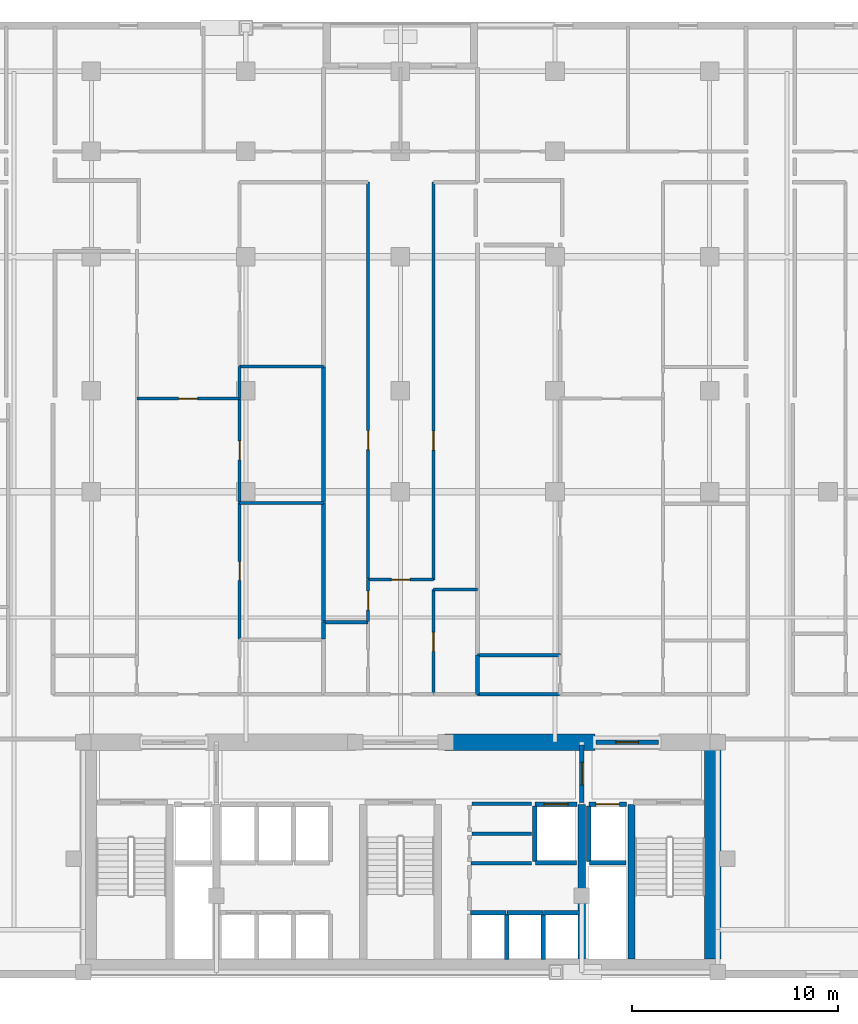
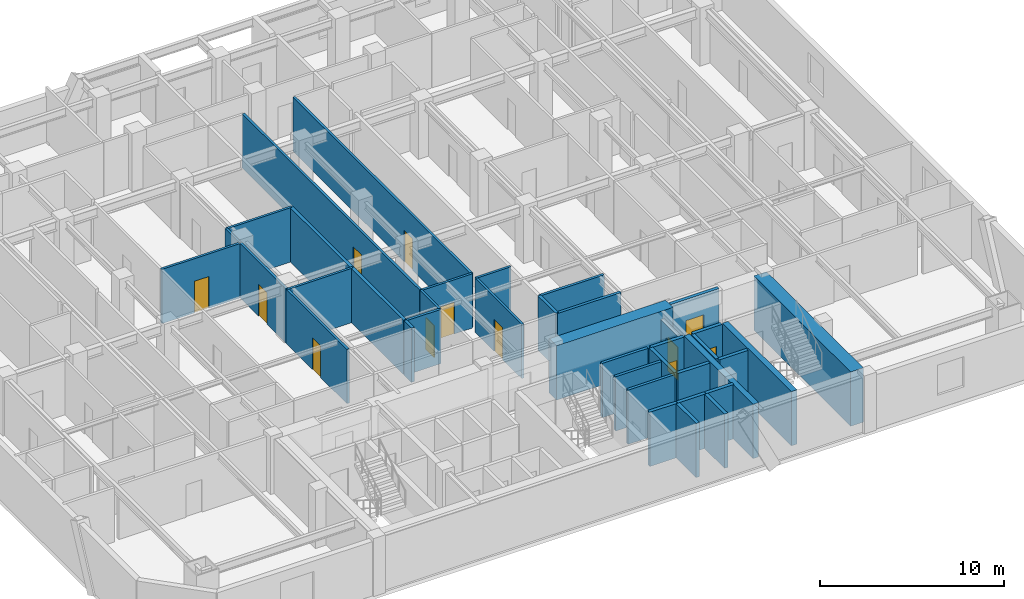
# One storey, part 5 of 10: 39 walls, 12 doors, 12 openings.
"""IFC4 building model written with IfcOpenShell, lengths in metres."""

from ifc_helpers import new_model, si_unit, direction, frame, frame_2d, origin, place, context, subcontext, project, spatial, rectangle, extrude, material, layer, layer_set, type_object, element, fill, save


model = new_model("IFC4")

# Units and contexts
model_context = context("Model", 3, precision=1e-05, world=origin(), true_north=direction((0.0, 1.0)))
body_context = subcontext(model_context, "Body", "Model", "MODEL_VIEW")
ifc_project = project(units=[si_unit("LENGTHUNIT", "METRE"), si_unit("AREAUNIT", "SQUARE_METRE"), si_unit("VOLUMEUNIT", "CUBIC_METRE"), si_unit("PLANEANGLEUNIT", "RADIAN"), si_unit("MASSUNIT", "GRAM", prefix="KILO")], contexts=[model_context])

# Site, building, storey
site_placement = place(None, origin())
site = spatial("IfcSite", under=ifc_project, at=site_placement, CompositionType="ELEMENT")
building_placement = place(site_placement, origin())
building = spatial("IfcBuilding", under=site, at=building_placement, Name="Ventersveld Concourse Tower", CompositionType="ELEMENT")
storey_placement = place(building_placement, frame((0.0, 0.0, 41.35009765625)))
storey = spatial("IfcBuildingStorey", under=building, at=storey_placement, Name="L09", CompositionType="ELEMENT", Elevation=41.35009765625)

# Walls
ifc_material_1 = material(Name="Concrete C60/75", Category="concrete")
ifc_layer_1 = layer(ifc_material_1, 0.35009765625)
ifc_layer_set_1 = layer_set([ifc_layer_1], Name="Concrete C60/75")
wall_type_1 = type_object("IfcWallType", Name="WL-CORE-350L", PredefinedType="SHEAR", material=ifc_layer_set_1)
for number, where, z_axis, x_axis, name in (
    (1, (37.550048828125, 0.919921875, 0.0), (0.0, 0.0, 1.0), (0.0, 1.0, 0.0), "L09 Core Internal Shear Web W-SVL-W"),
    (2, (39.9599609375, 0.919921875, 0.0), (0.0, 0.0, 1.0), (0.0, 1.0, 0.0), "L09 Core Internal Shear Web W-ST2-W"),
):
    element("IfcWall", number, at=place(storey_placement, frame(where, z_axis=z_axis, x_axis=x_axis)), inside=storey, type_object=wall_type_1, Name=name, PredefinedType="SHEAR", context=body_context, shape_type="SweptSolid", body=[
        extrude(rectangle(XDim=7.5, YDim=0.35009765625, at=frame_2d((3.75, 0.0))), origin(), (0.0, 0.0, 1.0), 3.599853515625),
    ])
ifc_layer_2 = layer(ifc_material_1, 0.800048828125)
ifc_layer_set_2 = layer_set([ifc_layer_2], Name="Concrete C60/75")
wall_type_2 = type_object("IfcWallType", Name="WL-CORE-800", PredefinedType="SHEAR", material=ifc_layer_set_2)
wall_1_placement = place(storey_placement, frame((43.89990234375, 0.919921875, 0.0), z_axis=(0.0, 0.0, 1.0), x_axis=(0.0, 1.0, 0.0)))
element("IfcWall", 3, at=wall_1_placement, inside=storey, type_object=wall_type_2, Name="L09 Rear Core East Shear Wall", PredefinedType="SHEAR", context=body_context, shape_type="SweptSolid", body=[
    extrude(rectangle(XDim=10.530029296875, YDim=0.800048828125, at=frame_2d((5.26513671875, 0.0))), origin(), (0.0, 0.0, 1.0), 3.599853515625),
])
wall_2_placement = place(storey_placement, frame((30.89990234375, 11.449951171875, 0.0), z_axis=(0.0, 0.0, 1.0), x_axis=(1.0, 0.0, 0.0)))
element("IfcWall", 4, at=wall_2_placement, inside=storey, type_object=wall_type_2, Name="L09 Rear Core North Shear Wall NMR", PredefinedType="SHEAR", context=body_context, shape_type="SweptSolid", body=[
    extrude(rectangle(XDim=7.300048828125, YDim=0.800048828125, at=frame_2d((3.64990234375, 0.0))), origin(), (0.0, 0.0, 1.0), 3.599853515625),
])
ifc_material_2 = material(Name="Fire-rated autoclaved aerated masonry blockwork", Category="masonry")
ifc_layer_3 = layer(ifc_material_2, 0.179931640625)
ifc_layer_set_3 = layer_set([ifc_layer_3], Name="Fire-rated autoclaved aerated masonry blockwork")
wall_type_3 = type_object("IfcWallType", Name="WL-CORR-180", PredefinedType="PARTITIONING", material=ifc_layer_set_3)
wall_3_placement = place(storey_placement, frame((32.219970703125, 7.0, 0.0), z_axis=(0.0, 0.0, 1.0), x_axis=(1.0, 0.0, 0.0)))
element("IfcWall", 5, at=wall_3_placement, inside=storey, type_object=wall_type_3, Name="L09 Core Top Wall SP-L09-CBAY1S", PredefinedType="PARTITIONING", context=body_context, shape_type="SweptSolid", body=[
    extrude(rectangle(XDim=2.880126953125, YDim=0.179931640625, at=frame_2d((1.43994140625, 0.0))), origin(), (0.0, 0.0, 1.0), 3.599853515625),
])
wall_4_placement = place(storey_placement, frame((32.179931640625, 5.570068359375, 0.0), z_axis=(0.0, 0.0, 1.0), x_axis=(1.0, 0.0, 0.0)))
element("IfcWall", 6, at=wall_4_placement, inside=storey, type_object=wall_type_3, Name="L09 Core Bot Wall SP-L09-CBAY1S", PredefinedType="PARTITIONING", context=body_context, shape_type="SweptSolid", body=[
    extrude(rectangle(XDim=2.920166015625, YDim=0.179931640625, at=frame_2d((1.4599609375, 0.0))), origin(), (0.0, 0.0, 1.0), 3.599853515625),
])
wall_5_placement = place(storey_placement, frame((32.219970703125, 8.4599609375, 0.0), z_axis=(0.0, 0.0, 1.0), x_axis=(1.0, 0.0, 0.0)))
element("IfcWall", 7, at=wall_5_placement, inside=storey, type_object=wall_type_3, Name="L09 Core Top Wall SP-L09-CBAY1N", PredefinedType="PARTITIONING", context=body_context, shape_type="SweptSolid", body=[
    extrude(rectangle(XDim=2.880126953125, YDim=0.179931640625, at=frame_2d((1.43994140625, 0.0))), origin(), (0.0, 0.0, 1.0), 3.599853515625),
])
wall_6_placement = place(storey_placement, frame((32.485107421875, 13.77001953125, 0.0), z_axis=(0.0, 0.0, 1.0), x_axis=(1.0, 0.0, 0.0)))
element("IfcWall", 8, at=wall_6_placement, inside=storey, type_object=wall_type_3, Name="L09 Interior Partition SP-L09-COR-SP-L09-09CE-BATH", PredefinedType="PARTITIONING", context=body_context, shape_type="SweptSolid", body=[
    extrude(rectangle(XDim=3.986083984375, YDim=0.179931640625, at=frame_2d((1.9931640625, 0.0))), origin(), (0.0, 0.0, 1.0), 3.599853515625),
])
ifc_layer_4 = layer(ifc_material_2, 0.199951171875)
ifc_layer_set_4 = layer_set([ifc_layer_4], Name="Fire-rated autoclaved aerated masonry blockwork")
wall_type_4 = type_object("IfcWallType", Name="WL-DEMISE-200", PredefinedType="PARTITIONING", material=ifc_layer_set_4)
wall_7_placement = place(storey_placement, frame((25.010009765625, 16.452880859375, 0.0), z_axis=(0.0, 0.0, 1.0), x_axis=(0.0, 1.0, 0.0)))
element("IfcWall", 9, at=wall_7_placement, inside=storey, type_object=wall_type_4, Name="L09 Interior Partition SP-L09-09CW-DENR-SP-L09-09CM-BATH", PredefinedType="PARTITIONING", context=body_context, shape_type="SweptSolid", body=[
    extrude(rectangle(XDim=0.824951171875, YDim=0.199951171875, at=frame_2d((0.41259765625, 0.0))), origin(), (0.0, 0.0, 1.0), 3.599853515625),
])
wall_8_placement = place(storey_placement, frame((25.010009765625, 17.307861328125, 0.0), z_axis=(0.0, 0.0, 1.0), x_axis=(0.0, 1.0, 0.0)))
element("IfcWall", 10, at=wall_8_placement, inside=storey, type_object=wall_type_4, Name="L09 Interior Partition SP-L09-09CW-DENR-SP-L09-09CM-DENL", PredefinedType="PARTITIONING", context=body_context, shape_type="SweptSolid", body=[
    extrude(rectangle(XDim=5.748046875, YDim=0.199951171875, at=frame_2d((2.8740234375, 0.0))), origin(), (0.0, 0.0, 1.0), 3.599853515625),
])
wall_9_placement = place(storey_placement, frame((25.010009765625, 23.085693359375, 0.0), z_axis=(0.0, 0.0, 1.0), x_axis=(0.0, 1.0, 0.0)))
element("IfcWall", 11, at=wall_9_placement, inside=storey, type_object=wall_type_4, Name="L09 Interior Partition SP-L09-09CW-DENS-SP-L09-09CM-DENL", PredefinedType="PARTITIONING", context=body_context, shape_type="SweptSolid", body=[
    extrude(rectangle(XDim=6.60302734375, YDim=0.199951171875, at=frame_2d((3.301513671875, 0.0))), origin(), (0.0, 0.0, 1.0), 3.599853515625),
])
wall_10_placement = place(storey_placement, frame((32.489990234375, 13.764892578125, 0.0), z_axis=(0.0, 0.0, 1.0), x_axis=(0.0, 1.0, 0.0)))
element("IfcWall", 12, at=wall_10_placement, inside=storey, type_object=wall_type_4, Name="L09 Interior Partition SP-L09-09CE-BATH-SP-L09-09CM-KIT", PredefinedType="PARTITIONING", context=body_context, shape_type="SweptSolid", body=[
    extrude(rectangle(XDim=1.91064453125, YDim=0.199951171875, at=frame_2d((0.955322265625, 0.0))), origin(), (0.0, 0.0, 1.0), 3.599853515625),
])
ifc_layer_5 = layer(ifc_material_2, 0.219970703125)
ifc_layer_set_5 = layer_set([ifc_layer_5], Name="Fire-rated autoclaved aerated masonry blockwork")
wall_type_5 = type_object("IfcWallType", Name="WL-HOIST-220", PredefinedType="SOLIDWALL", material=ifc_layer_set_5)
wall_11_placement = place(storey_placement, frame((37.919921875, 5.590087890625, 0.0), z_axis=(0.0, 0.0, 1.0), x_axis=(1.0, 0.0, 0.0)))
element("IfcWall", 13, at=wall_11_placement, inside=storey, type_object=wall_type_5, Name="L09 Lift Hoistway Back Wall FFL-02", PredefinedType="SOLIDWALL", context=body_context, shape_type="SweptSolid", body=[
    extrude(rectangle(XDim=1.780029296875, YDim=0.219970703125, at=frame_2d((0.89013671875, 0.0))), origin(), (0.0, 0.0, 1.0), 3.599853515625),
])
wall_12_placement = place(storey_placement, frame((37.8798828125, 5.64990234375, 0.0), z_axis=(0.0, 0.0, 1.0), x_axis=(0.0, 1.0, 0.0)))
element("IfcWall", 14, at=wall_12_placement, inside=storey, type_object=wall_type_5, Name="L09 Lift Hoistway Side Wall FFL-02W", PredefinedType="SOLIDWALL", context=body_context, shape_type="SweptSolid", body=[
    extrude(rectangle(XDim=2.7001953125, YDim=0.219970703125, at=frame_2d((1.35009765625, 0.0))), origin(), (0.0, 0.0, 1.0), 3.599853515625),
])

# Wall, opening, door
wall_13_placement = place(storey_placement, frame((37.89990234375, 8.429931640625, 0.0), z_axis=(0.0, 0.0, 1.0), x_axis=(1.0, 0.0, 0.0)))
wall_13 = element("IfcWall", 15, at=wall_13_placement, inside=storey, type_object=wall_type_5, Name="L09 Lift Hoistway Front Wall FFL-02", PredefinedType="SOLIDWALL", context=body_context, shape_type="SweptSolid", body=[
    extrude(rectangle(XDim=1.820068359375, YDim=0.219970703125, at=frame_2d((0.91015625, 0.0))), origin(), (0.0, 0.0, 1.0), 3.599853515625),
])
opening_1_placement = place(wall_13_placement, frame((0.35009765625, 0.0, 0.0)))
opening_1 = element("IfcOpeningElement", 16, at=opening_1_placement, cuts=wall_13, Name="Opening LD1", PredefinedType="OPENING", context=body_context, shape_type="SweptSolid", body=[
    extrude(rectangle(XDim=1.1201171875, YDim=2.25, at=frame_2d((0.56005859375, 1.125))), frame((0.0, 0.1201171875, 0.0), z_axis=(0.0, -1.0, 0.0), x_axis=(1.0, 0.0, 0.0)), (0.0, 0.0, 1.0), 0.239990234375),
])
ifc_material_3 = material(Name="Brushed stainless steel 316", Category="steel")
door_type_1 = type_object("IfcDoorType", Name="LD-FF-112", OperationType="SLIDING_TO_LEFT", PredefinedType="DOOR", material=ifc_material_3)
door_1_placement = place(opening_1_placement, origin())
door_1 = element("IfcDoor", 17, at=door_1_placement, inside=storey, type_object=door_type_1, Name="L09 Lift landing door FFL-02 (LD-L09-FFL-02)", OperationType="SLIDING_TO_RIGHT", OverallHeight=2.25, OverallWidth=1.1201171875, PredefinedType="DOOR", context=body_context, shape_type="SweptSolid", body=[
    extrude(rectangle(XDim=1.1201171875, YDim=2.25, at=frame_2d((0.56005859375, 1.125))), frame((0.0, 0.02490234375, 0.0), z_axis=(0.0, -1.0, 0.0), x_axis=(1.0, 0.0, 0.0)), (0.0, 0.0, 1.0), 0.050048828125),
])
fill(opening_1, door_1)

# Walls
wall_14_placement = place(storey_placement, frame((35.300048828125, 5.590087890625, 0.0), z_axis=(0.0, 0.0, 1.0), x_axis=(1.0, 0.0, 0.0)))
element("IfcWall", 18, at=wall_14_placement, inside=storey, type_object=wall_type_5, Name="L09 Lift Hoistway Back Wall SVL-01", PredefinedType="SOLIDWALL", context=body_context, shape_type="SweptSolid", body=[
    extrude(rectangle(XDim=2.0, YDim=0.219970703125, at=frame_2d((1.0, 0.0))), origin(), (0.0, 0.0, 1.0), 3.599853515625),
])
wall_15_placement = place(storey_placement, frame((35.260009765625, 5.64990234375, 0.0), z_axis=(0.0, 0.0, 1.0), x_axis=(0.0, 1.0, 0.0)))
element("IfcWall", 19, at=wall_15_placement, inside=storey, type_object=wall_type_5, Name="L09 Lift Hoistway Side Wall SVL-01W", PredefinedType="SOLIDWALL", context=body_context, shape_type="SweptSolid", body=[
    extrude(rectangle(XDim=2.7001953125, YDim=0.219970703125, at=frame_2d((1.35009765625, 0.0))), origin(), (0.0, 0.0, 1.0), 3.599853515625),
])

# Wall, opening, door
wall_16_placement = place(storey_placement, frame((35.280029296875, 8.429931640625, 0.0), z_axis=(0.0, 0.0, 1.0), x_axis=(1.0, 0.0, 0.0)))
wall_16 = element("IfcWall", 20, at=wall_16_placement, inside=storey, type_object=wall_type_5, Name="L09 Lift Hoistway Front Wall SVL-01", PredefinedType="SOLIDWALL", context=body_context, shape_type="SweptSolid", body=[
    extrude(rectangle(XDim=2.0400390625, YDim=0.219970703125, at=frame_2d((1.02001953125, 0.0))), origin(), (0.0, 0.0, 1.0), 3.599853515625),
])
opening_2_placement = place(wall_16_placement, frame((0.429931640625, 0.0, 0.0)))
opening_2 = element("IfcOpeningElement", 21, at=opening_2_placement, cuts=wall_16, Name="Opening LD2", PredefinedType="OPENING", context=body_context, shape_type="SweptSolid", body=[
    extrude(rectangle(XDim=1.179931640625, YDim=2.199951171875, at=frame_2d((0.58984375, 1.10009765625))), frame((0.0, 0.1201171875, 0.0), z_axis=(0.0, -1.0, 0.0), x_axis=(1.0, 0.0, 0.0)), (0.0, 0.0, 1.0), 0.239990234375),
])
door_type_2 = type_object("IfcDoorType", Name="LD-PAX-118", OperationType="SLIDING_TO_LEFT", PredefinedType="DOOR", material=ifc_material_3)
door_2_placement = place(opening_2_placement, origin())
door_2 = element("IfcDoor", 22, at=door_2_placement, inside=storey, type_object=door_type_2, Name="L09 Lift landing door SVL-01 (LD-L09-SVL-01)", OperationType="SLIDING_TO_LEFT", OverallHeight=2.199951171875, OverallWidth=1.179931640625, PredefinedType="DOOR", context=body_context, shape_type="SweptSolid", body=[
    extrude(rectangle(XDim=1.179931640625, YDim=2.199951171875, at=frame_2d((0.58984375, 1.10009765625))), frame((0.0, 0.02490234375, 0.0), z_axis=(0.0, -1.0, 0.0), x_axis=(1.0, 0.0, 0.0)), (0.0, 0.0, 1.0), 0.050048828125),
])
fill(opening_2, door_2)

# Walls
wall_17_placement = place(storey_placement, frame((33.89990234375, 0.89990234375, 0.0), z_axis=(0.0, 0.0, 1.0), x_axis=(0.0, 1.0, 0.0)))
element("IfcWall", 23, at=wall_17_placement, inside=storey, type_object=wall_type_5, Name="L09 Lift Hoistway Side Wall PM-01E", PredefinedType="SOLIDWALL", context=body_context, shape_type="SweptSolid", body=[
    extrude(rectangle(XDim=2.2001953125, YDim=0.219970703125, at=frame_2d((1.10009765625, 0.0))), origin(), (0.0, 0.0, 1.0), 3.599853515625),
])
wall_18_placement = place(storey_placement, frame((32.139892578125, 3.179931640625, 0.0), z_axis=(0.0, 0.0, 1.0), x_axis=(1.0, 0.0, 0.0)))
element("IfcWall", 24, at=wall_18_placement, inside=storey, type_object=wall_type_5, Name="L09 Lift Hoistway Front Wall PM-01", PredefinedType="SOLIDWALL", context=body_context, shape_type="SweptSolid", body=[
    extrude(rectangle(XDim=1.739990234375, YDim=0.219970703125, at=frame_2d((0.8701171875, 0.0))), origin(), (0.0, 0.0, 1.0), 3.599853515625),
])
wall_19_placement = place(storey_placement, frame((35.679931640625, 0.89990234375, 0.0), z_axis=(0.0, 0.0, 1.0), x_axis=(0.0, 1.0, 0.0)))
element("IfcWall", 25, at=wall_19_placement, inside=storey, type_object=wall_type_5, Name="L09 Lift Hoistway Side Wall PM-02E", PredefinedType="SOLIDWALL", context=body_context, shape_type="SweptSolid", body=[
    extrude(rectangle(XDim=2.2001953125, YDim=0.219970703125, at=frame_2d((1.10009765625, 0.0))), origin(), (0.0, 0.0, 1.0), 3.599853515625),
])
for number, where, z_axis, x_axis, name in (
    (26, (33.919921875, 3.179931640625, 0.0), (0.0, 0.0, 1.0), (1.0, 0.0, 0.0), "L09 Lift Hoistway Front Wall PM-02"),
    (27, (35.699951171875, 3.179931640625, 0.0), (0.0, 0.0, 1.0), (1.0, 0.0, 0.0), "L09 Lift Hoistway Front Wall PM-03"),
):
    element("IfcWall", number, at=place(storey_placement, frame(where, z_axis=z_axis, x_axis=x_axis)), inside=storey, type_object=wall_type_5, Name=name, PredefinedType="SOLIDWALL", context=body_context, shape_type="SweptSolid", body=[
        extrude(rectangle(XDim=1.739990234375, YDim=0.219970703125, at=frame_2d((0.8701171875, 0.0))), origin(), (0.0, 0.0, 1.0), 3.599853515625),
    ])

# Wall, opening, door
wall_20_placement = place(storey_placement, frame((37.550048828125, 8.52001953125, 0.0), z_axis=(0.0, 0.0, 1.0), x_axis=(0.0, 1.0, 0.0)))
wall_20 = element("IfcWall", 28, at=wall_20_placement, inside=storey, type_object=wall_type_5, Name="L09 Firefighting Lobby Smoke-Stop Wall FFLE-SEP", PredefinedType="SOLIDWALL", context=body_context, shape_type="SweptSolid", body=[
    extrude(rectangle(XDim=2.800048828125, YDim=0.219970703125, at=frame_2d((1.39990234375, 0.0))), origin(), (0.0, 0.0, 1.0), 3.055419921875),
])
opening_3_placement = place(wall_20_placement, frame((0.85009765625, 0.0, 0.0)))
opening_3 = element("IfcOpeningElement", 29, at=opening_3_placement, cuts=wall_20, Name="Opening FD2", PredefinedType="OPENING", context=body_context, shape_type="SweptSolid", body=[
    extrude(rectangle(XDim=1.10009765625, YDim=2.199951171875, at=frame_2d((0.550048828125, 1.10009765625))), frame((0.0, 0.1201171875, 0.0), z_axis=(0.0, -1.0, 0.0), x_axis=(1.0, 0.0, 0.0)), (0.0, 0.0, 1.0), 0.239990234375),
])
ifc_material_4 = material(Name="Galvanised painted steel", Category="steel")
door_type_3 = type_object("IfcDoorType", Name="DR-FFL-110", OperationType="NOTDEFINED", PredefinedType="DOOR", material=ifc_material_4)
door_3_placement = place(opening_3_placement, origin())
door_3 = element("IfcDoor", 30, at=door_3_placement, inside=storey, type_object=door_type_3, Name="L09 Firefighting Lobby Door FFLE-SEP (FD-L09-0299)", OperationType="SINGLE_SWING_RIGHT", OverallHeight=2.199951171875, OverallWidth=1.10009765625, PredefinedType="DOOR", context=body_context, shape_type="SweptSolid", body=[
    extrude(rectangle(XDim=1.10009765625, YDim=2.199951171875, at=frame_2d((0.550048828125, 1.10009765625))), frame((0.0, 0.02490234375, 0.0), z_axis=(0.0, -1.0, 0.0), x_axis=(1.0, 0.0, 0.0)), (0.0, 0.0, 1.0), 0.050048828125),
])
fill(opening_3, door_3)

wall_21_placement = place(storey_placement, frame((38.22998046875, 11.449951171875, 0.0), z_axis=(0.0, 0.0, 1.0), x_axis=(1.0, 0.0, 0.0)))
wall_21 = element("IfcWall", 31, at=wall_21_placement, inside=storey, type_object=wall_type_5, Name="L09 Core North Fire Portal FFLE-OUT", PredefinedType="SOLIDWALL", context=body_context, shape_type="SweptSolid", body=[
    extrude(rectangle(XDim=3.0400390625, YDim=0.219970703125, at=frame_2d((1.52001953125, 0.0))), origin(), (0.0, 0.0, 1.0), 3.599853515625),
])
opening_4_placement = place(wall_21_placement, frame((0.969970703125, 0.0, 0.0)))
opening_4 = element("IfcOpeningElement", 32, at=opening_4_placement, cuts=wall_21, Name="Opening FD2", PredefinedType="OPENING", context=body_context, shape_type="SweptSolid", body=[
    extrude(rectangle(XDim=1.10009765625, YDim=2.199951171875, at=frame_2d((0.550048828125, 1.10009765625))), frame((0.0, 0.1201171875, 0.0), z_axis=(0.0, -1.0, 0.0), x_axis=(1.0, 0.0, 0.0)), (0.0, 0.0, 1.0), 0.239990234375),
])
door_4_placement = place(opening_4_placement, origin())
door_4 = element("IfcDoor", 33, at=door_4_placement, inside=storey, type_object=door_type_3, Name="L09 Core Lobby Fire Door FFLE-OUT (FD-L09-0302)", OperationType="SINGLE_SWING_LEFT", OverallHeight=2.199951171875, OverallWidth=1.10009765625, PredefinedType="DOOR", context=body_context, shape_type="SweptSolid", body=[
    extrude(rectangle(XDim=1.10009765625, YDim=2.199951171875, at=frame_2d((0.550048828125, 1.10009765625))), frame((0.0, 0.02490234375, 0.0), z_axis=(0.0, -1.0, 0.0), x_axis=(1.0, 0.0, 0.0)), (0.0, 0.0, 1.0), 0.050048828125),
])
fill(opening_4, door_4)

ifc_material_5 = material(Name="Autoclaved aerated masonry blockwork", Category="masonry")
ifc_layer_6 = layer(ifc_material_5, 0.14990234375)
ifc_layer_set_6 = layer_set([ifc_layer_6], Name="Autoclaved aerated masonry blockwork")
wall_type_6 = type_object("IfcWallType", Name="WL-INT-150", PredefinedType="PARTITIONING", material=ifc_layer_set_6)
wall_22_placement = place(storey_placement, frame((15.955078125, 28.11669921875, 0.0), z_axis=(0.0, 0.0, 1.0), x_axis=(1.0, 0.0, 0.0)))
wall_22 = element("IfcWall", 34, at=wall_22_placement, inside=storey, type_object=wall_type_6, Name="L09 Interior Partition SP-L09-09CW-FOY-SP-L09-09CW-LIV", PredefinedType="PARTITIONING", context=body_context, shape_type="SweptSolid", body=[
    extrude(rectangle(XDim=4.989990234375, YDim=0.14990234375, at=frame_2d((2.4951171875, 0.0))), origin(), (0.0, 0.0, 1.0), 3.599853515625),
])
opening_5_placement = place(wall_22_placement, frame((2.034912109375, 0.0, 0.0)))
opening_5 = element("IfcOpeningElement", 35, at=opening_5_placement, cuts=wall_22, Name="Opening ID1", PredefinedType="OPENING", context=body_context, shape_type="SweptSolid", body=[
    extrude(rectangle(XDim=0.919921875, YDim=2.10009765625, at=frame_2d((0.4599609375, 1.050048828125))), frame((0.0, 0.0849609375, 0.0), z_axis=(0.0, -1.0, 0.0), x_axis=(1.0, 0.0, 0.0)), (0.0, 0.0, 1.0), 0.169921875),
])
ifc_material_6 = material(Name="Solid-core hardwood veneer timber", Category="wood")
door_type_4 = type_object("IfcDoorType", Name="DR-ROOM-092", OperationType="NOTDEFINED", PredefinedType="DOOR", material=ifc_material_6)
door_5_placement = place(opening_5_placement, origin())
door_5 = element("IfcDoor", 36, at=door_5_placement, inside=storey, type_object=door_type_4, Name="L09 Interior Door SP-L09-09CW-FOY to SP-L09-09CW-LIV (D-L09-0332)", OperationType="SINGLE_SWING_RIGHT", OverallHeight=2.10009765625, OverallWidth=0.919921875, PredefinedType="DOOR", context=body_context, shape_type="SweptSolid", body=[
    extrude(rectangle(XDim=0.919921875, YDim=2.10009765625, at=frame_2d((0.4599609375, 1.050048828125))), frame((0.0, 0.02490234375, 0.0), z_axis=(0.0, -1.0, 0.0), x_axis=(1.0, 0.0, 0.0)), (0.0, 0.0, 1.0), 0.050048828125),
])
fill(opening_5, door_5)

wall_23_placement = place(storey_placement, frame((20.93994140625, 16.452880859375, 0.0), z_axis=(0.0, 0.0, 1.0), x_axis=(0.0, 1.0, 0.0)))
wall_23 = element("IfcWall", 37, at=wall_23_placement, inside=storey, type_object=wall_type_6, Name="L09 Interior Partition SP-L09-09CW-FOY-SP-L09-09CW-DENR", PredefinedType="PARTITIONING", context=body_context, shape_type="SweptSolid", body=[
    extrude(rectangle(XDim=6.60302734375, YDim=0.14990234375, at=frame_2d((3.301513671875, 0.0))), origin(), (0.0, 0.0, 1.0), 3.599853515625),
])
opening_6_placement = place(wall_23_placement, frame((2.841552734375, 0.0, 0.0)))
opening_6 = element("IfcOpeningElement", 38, at=opening_6_placement, cuts=wall_23, Name="Opening ID1", PredefinedType="OPENING", context=body_context, shape_type="SweptSolid", body=[
    extrude(rectangle(XDim=0.919921875, YDim=2.10009765625, at=frame_2d((0.4599609375, 1.050048828125))), frame((0.0, 0.0849609375, 0.0), z_axis=(0.0, -1.0, 0.0), x_axis=(1.0, 0.0, 0.0)), (0.0, 0.0, 1.0), 0.169921875),
])
door_6_placement = place(opening_6_placement, origin())
door_6 = element("IfcDoor", 39, at=door_6_placement, inside=storey, type_object=door_type_4, Name="L09 Interior Door SP-L09-09CW-FOY to SP-L09-09CW-DENR (D-L09-0336)", OperationType="SINGLE_SWING_RIGHT", OverallHeight=2.10009765625, OverallWidth=0.919921875, PredefinedType="DOOR", context=body_context, shape_type="SweptSolid", body=[
    extrude(rectangle(XDim=0.919921875, YDim=2.10009765625, at=frame_2d((0.4599609375, 1.050048828125))), frame((0.0, 0.02490234375, 0.0), z_axis=(0.0, -1.0, 0.0), x_axis=(1.0, 0.0, 0.0)), (0.0, 0.0, 1.0), 0.050048828125),
])
fill(opening_6, door_6)

wall_24_placement = place(storey_placement, frame((20.93994140625, 23.085693359375, 0.0), z_axis=(0.0, 0.0, 1.0), x_axis=(0.0, 1.0, 0.0)))
wall_24 = element("IfcWall", 40, at=wall_24_placement, inside=storey, type_object=wall_type_6, Name="L09 Interior Partition SP-L09-09CW-FOY-SP-L09-09CW-DENS", PredefinedType="PARTITIONING", context=body_context, shape_type="SweptSolid", body=[
    extrude(rectangle(XDim=5.035888671875, YDim=0.14990234375, at=frame_2d((2.51806640625, 0.0))), origin(), (0.0, 0.0, 1.0), 3.599853515625),
])
opening_7_placement = place(wall_24_placement, frame((2.057861328125, 0.0, 0.0)))
opening_7 = element("IfcOpeningElement", 41, at=opening_7_placement, cuts=wall_24, Name="Opening ID1", PredefinedType="OPENING", context=body_context, shape_type="SweptSolid", body=[
    extrude(rectangle(XDim=0.919921875, YDim=2.10009765625, at=frame_2d((0.4599609375, 1.050048828125))), frame((0.0, 0.0849609375, 0.0), z_axis=(0.0, -1.0, 0.0), x_axis=(1.0, 0.0, 0.0)), (0.0, 0.0, 1.0), 0.169921875),
])
door_7_placement = place(opening_7_placement, origin())
door_7 = element("IfcDoor", 42, at=door_7_placement, inside=storey, type_object=door_type_4, Name="L09 Interior Door SP-L09-09CW-FOY to SP-L09-09CW-DENS (D-L09-0337)", OperationType="SINGLE_SWING_LEFT", OverallHeight=2.10009765625, OverallWidth=0.919921875, PredefinedType="DOOR", context=body_context, shape_type="SweptSolid", body=[
    extrude(rectangle(XDim=0.919921875, YDim=2.10009765625, at=frame_2d((0.4599609375, 1.050048828125))), frame((0.0, 0.02490234375, 0.0), z_axis=(0.0, -1.0, 0.0), x_axis=(1.0, 0.0, 0.0)), (0.0, 0.0, 1.0), 0.050048828125),
])
fill(opening_7, door_7)

# Walls
wall_25_placement = place(storey_placement, frame((20.93994140625, 28.151611328125, 0.0), z_axis=(0.0, 0.0, 1.0), x_axis=(0.0, 1.0, 0.0)))
element("IfcWall", 43, at=wall_25_placement, inside=storey, type_object=wall_type_6, Name="L09 Interior Partition SP-L09-09CW-LIV-SP-L09-09CW-DENS", PredefinedType="PARTITIONING", context=body_context, shape_type="SweptSolid", body=[
    extrude(rectangle(XDim=1.537109375, YDim=0.14990234375, at=frame_2d((0.7685546875, 0.0))), origin(), (0.0, 0.0, 1.0), 3.599853515625),
])
for number, where, z_axis, x_axis, name in (
    (44, (20.93505859375, 23.05078125, 0.0), (0.0, 0.0, 1.0), (1.0, 0.0, 0.0), "L09 Interior Partition SP-L09-09CW-DENR-SP-L09-09CW-DENS"),
    (45, (20.93505859375, 29.68359375, 0.0), (0.0, 0.0, 1.0), (1.0, 0.0, 0.0), "L09 Interior Partition SP-L09-09CW-DENS-SP-L09-09CW-DENS2"),
):
    element("IfcWall", number, at=place(storey_placement, frame(where, z_axis=z_axis, x_axis=x_axis)), inside=storey, type_object=wall_type_6, Name=name, PredefinedType="PARTITIONING", context=body_context, shape_type="SweptSolid", body=[
        extrude(rectangle(XDim=4.079833984375, YDim=0.14990234375, at=frame_2d((2.0400390625, 0.0))), origin(), (0.0, 0.0, 1.0), 3.599853515625),
    ])

# Wall, opening, door
wall_26_placement = place(storey_placement, frame((27.171142578125, 19.33251953125, 0.0), z_axis=(0.0, 0.0, 1.0), x_axis=(1.0, 0.0, 0.0)))
wall_26 = element("IfcWall", 46, at=wall_26_placement, inside=storey, type_object=wall_type_6, Name="L09 Interior Partition SP-L09-09CM-FOY-SP-L09-09CM-LIV", PredefinedType="PARTITIONING", context=body_context, shape_type="SweptSolid", body=[
    extrude(rectangle(XDim=3.18798828125, YDim=0.14990234375, at=frame_2d((1.593994140625, 0.0))), origin(), (0.0, 0.0, 1.0), 3.599853515625),
])
opening_8_placement = place(wall_26_placement, frame((1.134033203125, 0.0, 0.0)))
opening_8 = element("IfcOpeningElement", 47, at=opening_8_placement, cuts=wall_26, Name="Opening ID1", PredefinedType="OPENING", context=body_context, shape_type="SweptSolid", body=[
    extrude(rectangle(XDim=0.919921875, YDim=2.10009765625, at=frame_2d((0.4599609375, 1.050048828125))), frame((0.0, 0.0849609375, 0.0), z_axis=(0.0, -1.0, 0.0), x_axis=(1.0, 0.0, 0.0)), (0.0, 0.0, 1.0), 0.169921875),
])
door_8_placement = place(opening_8_placement, origin())
door_8 = element("IfcDoor", 48, at=door_8_placement, inside=storey, type_object=door_type_4, Name="L09 Interior Door SP-L09-09CM-FOY to SP-L09-09CM-LIV (D-L09-0354)", OperationType="SINGLE_SWING_RIGHT", OverallHeight=2.10009765625, OverallWidth=0.919921875, PredefinedType="DOOR", context=body_context, shape_type="SweptSolid", body=[
    extrude(rectangle(XDim=0.919921875, YDim=2.10009765625, at=frame_2d((0.4599609375, 1.050048828125))), frame((0.0, 0.02490234375, 0.0), z_axis=(0.0, -1.0, 0.0), x_axis=(1.0, 0.0, 0.0)), (0.0, 0.0, 1.0), 0.050048828125),
])
fill(opening_8, door_8)

wall_27_placement = place(storey_placement, frame((27.17626953125, 17.307861328125, 0.0), z_axis=(0.0, 0.0, 1.0), x_axis=(0.0, 1.0, 0.0)))
wall_27 = element("IfcWall", 49, at=wall_27_placement, inside=storey, type_object=wall_type_6, Name="L09 Interior Partition SP-L09-09CM-FOY-SP-L09-09CM-DENL", PredefinedType="PARTITIONING", context=body_context, shape_type="SweptSolid", body=[
    extrude(rectangle(XDim=2.029541015625, YDim=0.14990234375, at=frame_2d((1.0146484375, 0.0))), origin(), (0.0, 0.0, 1.0), 3.599853515625),
])
opening_9_placement = place(wall_27_placement, frame((0.5546875, 0.0, 0.0)))
opening_9 = element("IfcOpeningElement", 50, at=opening_9_placement, cuts=wall_27, Name="Opening ID1", PredefinedType="OPENING", context=body_context, shape_type="SweptSolid", body=[
    extrude(rectangle(XDim=0.919921875, YDim=2.10009765625, at=frame_2d((0.4599609375, 1.050048828125))), frame((0.0, 0.0849609375, 0.0), z_axis=(0.0, -1.0, 0.0), x_axis=(1.0, 0.0, 0.0)), (0.0, 0.0, 1.0), 0.169921875),
])
door_9_placement = place(opening_9_placement, origin())
door_9 = element("IfcDoor", 51, at=door_9_placement, inside=storey, type_object=door_type_4, Name="L09 Interior Door SP-L09-09CM-FOY to SP-L09-09CM-DENL (D-L09-0356)", OperationType="SINGLE_SWING_RIGHT", OverallHeight=2.10009765625, OverallWidth=0.919921875, PredefinedType="DOOR", context=body_context, shape_type="SweptSolid", body=[
    extrude(rectangle(XDim=0.919921875, YDim=2.10009765625, at=frame_2d((0.4599609375, 1.050048828125))), frame((0.0, 0.02490234375, 0.0), z_axis=(0.0, -1.0, 0.0), x_axis=(1.0, 0.0, 0.0)), (0.0, 0.0, 1.0), 0.050048828125),
])
fill(opening_9, door_9)

wall_28_placement = place(storey_placement, frame((30.354248046875, 13.764892578125, 0.0), z_axis=(0.0, 0.0, 1.0), x_axis=(0.0, 1.0, 0.0)))
wall_28 = element("IfcWall", 52, at=wall_28_placement, inside=storey, type_object=wall_type_6, Name="L09 Interior Partition SP-L09-09CM-FOY-SP-L09-09CM-KIT", PredefinedType="PARTITIONING", context=body_context, shape_type="SweptSolid", body=[
    extrude(rectangle(XDim=5.0986328125, YDim=0.14990234375, at=frame_2d((2.54931640625, 0.0))), origin(), (0.0, 0.0, 1.0), 3.599853515625),
])
opening_10_placement = place(wall_28_placement, frame((2.089111328125, 0.0, 0.0)))
opening_10 = element("IfcOpeningElement", 53, at=opening_10_placement, cuts=wall_28, Name="Opening ID1", PredefinedType="OPENING", context=body_context, shape_type="SweptSolid", body=[
    extrude(rectangle(XDim=0.919921875, YDim=2.10009765625, at=frame_2d((0.4599609375, 1.050048828125))), frame((0.0, 0.0849609375, 0.0), z_axis=(0.0, -1.0, 0.0), x_axis=(1.0, 0.0, 0.0)), (0.0, 0.0, 1.0), 0.169921875),
])
door_10_placement = place(opening_10_placement, origin())
door_10 = element("IfcDoor", 54, at=door_10_placement, inside=storey, type_object=door_type_4, Name="L09 Interior Door SP-L09-09CM-FOY to SP-L09-09CM-KIT (D-L09-0357)", OperationType="SINGLE_SWING_LEFT", OverallHeight=2.10009765625, OverallWidth=0.919921875, PredefinedType="DOOR", context=body_context, shape_type="SweptSolid", body=[
    extrude(rectangle(XDim=0.919921875, YDim=2.10009765625, at=frame_2d((0.4599609375, 1.050048828125))), frame((0.0, 0.02490234375, 0.0), z_axis=(0.0, -1.0, 0.0), x_axis=(1.0, 0.0, 0.0)), (0.0, 0.0, 1.0), 0.050048828125),
])
fill(opening_10, door_10)

wall_29_placement = place(storey_placement, frame((27.17626953125, 19.367431640625, 0.0), z_axis=(0.0, 0.0, 1.0), x_axis=(0.0, 1.0, 0.0)))
wall_29 = element("IfcWall", 55, at=wall_29_placement, inside=storey, type_object=wall_type_6, Name="L09 Interior Partition SP-L09-09CM-LIV-SP-L09-09CM-DENL", PredefinedType="PARTITIONING", context=body_context, shape_type="SweptSolid", body=[
    extrude(rectangle(XDim=19.257568359375, YDim=0.14990234375, at=frame_2d((9.62890625, 0.0))), origin(), (0.0, 0.0, 1.0), 3.599853515625),
])
opening_11_placement = place(wall_29_placement, frame((6.2802734375, 0.0, 0.0)))
opening_11 = element("IfcOpeningElement", 56, at=opening_11_placement, cuts=wall_29, Name="Opening ID1", PredefinedType="OPENING", context=body_context, shape_type="SweptSolid", body=[
    extrude(rectangle(XDim=0.919921875, YDim=2.10009765625, at=frame_2d((0.4599609375, 1.050048828125))), frame((0.0, 0.0849609375, 0.0), z_axis=(0.0, -1.0, 0.0), x_axis=(1.0, 0.0, 0.0)), (0.0, 0.0, 1.0), 0.169921875),
])
door_11_placement = place(opening_11_placement, origin())
door_11 = element("IfcDoor", 57, at=door_11_placement, inside=storey, type_object=door_type_4, Name="L09 Interior Door SP-L09-09CM-LIV to SP-L09-09CM-DENL (D-L09-0358)", OperationType="SINGLE_SWING_RIGHT", OverallHeight=2.10009765625, OverallWidth=0.919921875, PredefinedType="DOOR", context=body_context, shape_type="SweptSolid", body=[
    extrude(rectangle(XDim=0.919921875, YDim=2.10009765625, at=frame_2d((0.4599609375, 1.050048828125))), frame((0.0, 0.02490234375, 0.0), z_axis=(0.0, -1.0, 0.0), x_axis=(1.0, 0.0, 0.0)), (0.0, 0.0, 1.0), 0.050048828125),
])
fill(opening_11, door_11)

wall_30_placement = place(storey_placement, frame((30.354248046875, 19.327392578125, 0.0), z_axis=(0.0, 0.0, 1.0), x_axis=(0.0, 1.0, 0.0)))
wall_30 = element("IfcWall", 58, at=wall_30_placement, inside=storey, type_object=wall_type_6, Name="L09 Interior Partition SP-L09-09CM-LIV-SP-L09-09CM-DENR", PredefinedType="PARTITIONING", context=body_context, shape_type="SweptSolid", body=[
    extrude(rectangle(XDim=19.297607421875, YDim=0.14990234375, at=frame_2d((9.64892578125, 0.0))), origin(), (0.0, 0.0, 1.0), 3.599853515625),
])
opening_12_placement = place(wall_30_placement, frame((6.294189453125, 0.0, 0.0)))
opening_12 = element("IfcOpeningElement", 59, at=opening_12_placement, cuts=wall_30, Name="Opening ID1", PredefinedType="OPENING", context=body_context, shape_type="SweptSolid", body=[
    extrude(rectangle(XDim=0.919921875, YDim=2.10009765625, at=frame_2d((0.4599609375, 1.050048828125))), frame((0.0, 0.0849609375, 0.0), z_axis=(0.0, -1.0, 0.0), x_axis=(1.0, 0.0, 0.0)), (0.0, 0.0, 1.0), 0.169921875),
])
door_12_placement = place(opening_12_placement, origin())
door_12 = element("IfcDoor", 60, at=door_12_placement, inside=storey, type_object=door_type_4, Name="L09 Interior Door SP-L09-09CM-LIV to SP-L09-09CM-DENR (D-L09-0359)", OperationType="SINGLE_SWING_LEFT", OverallHeight=2.10009765625, OverallWidth=0.919921875, PredefinedType="DOOR", context=body_context, shape_type="SweptSolid", body=[
    extrude(rectangle(XDim=0.919921875, YDim=2.10009765625, at=frame_2d((0.4599609375, 1.050048828125))), frame((0.0, 0.02490234375, 0.0), z_axis=(0.0, -1.0, 0.0), x_axis=(1.0, 0.0, 0.0)), (0.0, 0.0, 1.0), 0.050048828125),
])
fill(opening_12, door_12)

# Walls
wall_31_placement = place(storey_placement, frame((30.34912109375, 18.8583984375, 0.0), z_axis=(0.0, 0.0, 1.0), x_axis=(1.0, 0.0, 0.0)))
element("IfcWall", 61, at=wall_31_placement, inside=storey, type_object=wall_type_6, Name="L09 Interior Partition SP-L09-09CM-KIT-SP-L09-09CM-DENR", PredefinedType="PARTITIONING", context=body_context, shape_type="SweptSolid", body=[
    extrude(rectangle(XDim=2.14599609375, YDim=0.14990234375, at=frame_2d((1.072998046875, 0.0))), origin(), (0.0, 0.0, 1.0), 3.599853515625),
])
ifc_layer_7 = layer(ifc_material_5, 0.1650390625)
ifc_layer_set_7 = layer_set([ifc_layer_7], Name="Autoclaved aerated masonry blockwork")
wall_type_7 = type_object("IfcWallType", Name="WL-WET-165", PredefinedType="PLUMBINGWALL", material=ifc_layer_set_7)
wall_32_placement = place(storey_placement, frame((32.485107421875, 15.67041015625, 0.0), z_axis=(0.0, 0.0, 1.0), x_axis=(1.0, 0.0, 0.0)))
element("IfcWall", 62, at=wall_32_placement, inside=storey, type_object=wall_type_7, Name="L09 Interior Partition SP-L09-09CE-BATH-SP-L09-09CE-DENL", PredefinedType="PLUMBINGWALL", context=body_context, shape_type="SweptSolid", body=[
    extrude(rectangle(XDim=4.026123046875, YDim=0.1650390625, at=frame_2d((2.01318359375, 0.0))), origin(), (0.0, 0.0, 1.0), 3.599853515625),
])
wall_33_placement = place(storey_placement, frame((25.0048828125, 17.27294921875, 0.0), z_axis=(0.0, 0.0, 1.0), x_axis=(1.0, 0.0, 0.0)))
element("IfcWall", 63, at=wall_33_placement, inside=storey, type_object=wall_type_7, Name="L09 Interior Partition SP-L09-09CM-BATH-SP-L09-09CM-DENL", PredefinedType="PLUMBINGWALL", context=body_context, shape_type="SweptSolid", body=[
    extrude(rectangle(XDim=2.17626953125, YDim=0.1650390625, at=frame_2d((1.088134765625, 0.0))), origin(), (0.0, 0.0, 1.0), 3.599853515625),
])

save(model, "model.ifc")
